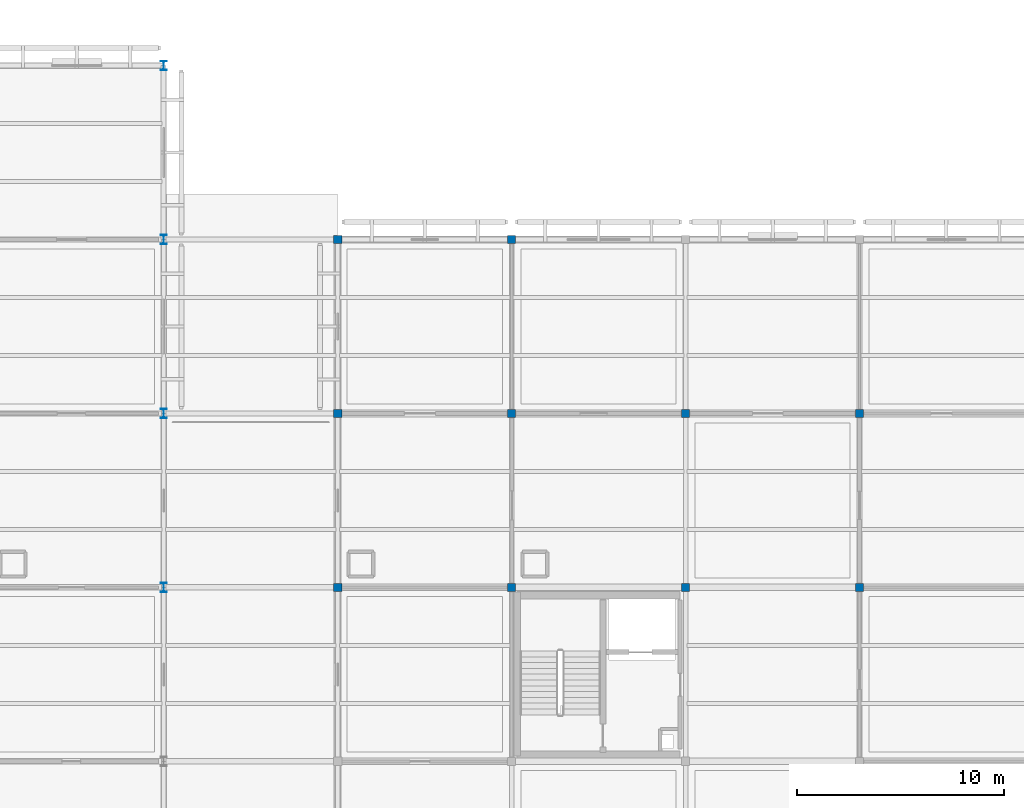
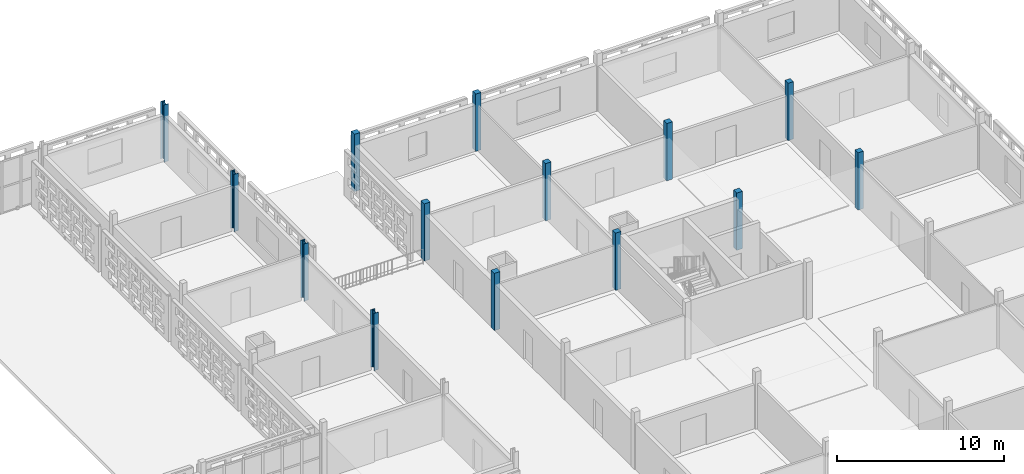
# One storey, part 12 of 140: 14 columns.
"""IFC4 building model written with IfcOpenShell, lengths in metres."""

from ifc_helpers import new_model, si_unit, direction, frame, origin, origin_2d, place, context, subcontext, project, spatial, rectangle, i_section, extrude, material, material_profile, profile_set, type_object, element, save


model = new_model("IFC4")

# Units and contexts
model_context = context("Model", 3, precision=1e-05, world=origin(), true_north=direction((0.0, 1.0)))
body_context = subcontext(model_context, "Body", "Model", "MODEL_VIEW")
ifc_project = project(units=[si_unit("LENGTHUNIT", "METRE"), si_unit("AREAUNIT", "SQUARE_METRE"), si_unit("VOLUMEUNIT", "CUBIC_METRE"), si_unit("PLANEANGLEUNIT", "RADIAN"), si_unit("MASSUNIT", "GRAM", prefix="KILO")], contexts=[model_context])

# Site, building, storey
site_placement = place(None, origin())
site = spatial("IfcSite", under=ifc_project, at=site_placement, CompositionType="ELEMENT")
building_placement = place(site_placement, origin())
building = spatial("IfcBuilding", under=site, at=building_placement, Name="Varnapada Polytechnic", CompositionType="ELEMENT")
storey_placement = place(building_placement, frame((0.0, 0.0, 13.800048828125)))
storey = spatial("IfcBuildingStorey", under=building, at=storey_placement, Name="L03", CompositionType="ELEMENT", Elevation=13.800048828125)

# Columns
ifc_material_1 = material(Name="Steel S355", Category="steel")
ifc_material_profile_1 = material_profile(ifc_material_1, i_section(OverallWidth=0.300048828125, OverallDepth=0.449951171875, WebThickness=0.013916015625, FlangeThickness=0.02587890625, FilletRadius=0.027099609375, at=origin_2d()), Name="HEB 450")
ifc_profile_set_1 = profile_set([ifc_material_profile_1], Name="Steel S355")
column_type_1 = type_object("IfcColumnType", Name="Column C-07 (HEB 450)", PredefinedType="COLUMN", material=ifc_profile_set_1)
for number, where, z_axis, x_axis, name in (
    (1, (134.39990234375, 100.800048828125, 0.0), (0.0, 0.0, 1.0), (1.0, 0.0, 0.0), "L03 column 17/13"),
    (2, (134.39990234375, 109.199951171875, 0.0), (0.0, 0.0, 1.0), (1.0, 0.0, 0.0), "L03 column 17/14"),
    (3, (134.39990234375, 117.60009765625, 0.0), (0.0, 0.0, 1.0), (1.0, 0.0, 0.0), "L03 column 17/15"),
):
    element("IfcColumn", number, at=place(storey_placement, frame(where, z_axis=z_axis, x_axis=x_axis)), inside=storey, type_object=column_type_1, Name=name, PredefinedType="COLUMN", context=body_context, shape_type="SweptSolid", body=[
        extrude(i_section(OverallWidth=0.300048828125, OverallDepth=0.449951171875, WebThickness=0.013916015625, FlangeThickness=0.02587890625, FilletRadius=0.027099609375, at=origin_2d()), origin(), (0.0, 0.0, 1.0), 4.199951171875),
    ])
ifc_material_2 = material(Name="Glulam GL32h", Category="wood")
ifc_material_profile_2 = material_profile(ifc_material_2, rectangle(XDim=0.39990234375, YDim=0.39990234375, at=origin_2d()), Name="GL 400x400")
ifc_profile_set_2 = profile_set([ifc_material_profile_2], Name="Glulam GL32h")
column_type_2 = type_object("IfcColumnType", Name="Column C-13 (GL 400x400)", PredefinedType="COLUMN", material=ifc_profile_set_2)
for number, where, z_axis, x_axis, name in (
    (4, (142.800048828125, 100.800048828125, 0.0), (0.0, 0.0, 1.0), (1.0, 0.0, 0.0), "L03 column 18/13"),
    (5, (142.800048828125, 109.199951171875, 0.0), (0.0, 0.0, 1.0), (1.0, 0.0, 0.0), "L03 column 18/14"),
    (6, (142.800048828125, 117.60009765625, 0.0), (0.0, 0.0, 1.0), (1.0, 0.0, 0.0), "L03 column 18/15"),
    (7, (159.60009765625, 100.800048828125, 0.0), (0.0, 0.0, 1.0), (1.0, 0.0, 0.0), "L03 column 20/13"),
    (8, (159.60009765625, 109.199951171875, 0.0), (0.0, 0.0, 1.0), (1.0, 0.0, 0.0), "L03 column 20/14"),
):
    element("IfcColumn", number, at=place(storey_placement, frame(where, z_axis=z_axis, x_axis=x_axis)), inside=storey, type_object=column_type_2, Name=name, PredefinedType="COLUMN", context=body_context, shape_type="SweptSolid", body=[
        extrude(rectangle(XDim=0.39990234375, YDim=0.39990234375, at=origin_2d()), origin(), (0.0, 0.0, 1.0), 4.199951171875),
    ])
ifc_material_profile_3 = material_profile(ifc_material_2, rectangle(XDim=0.3798828125, YDim=0.3798828125, at=origin_2d()), Name="GL 380x380")
ifc_profile_set_3 = profile_set([ifc_material_profile_3], Name="Glulam GL32h")
column_type_3 = type_object("IfcColumnType", Name="Column C-24 (GL 380x380)", PredefinedType="COLUMN", material=ifc_profile_set_3)
for number, where, z_axis, x_axis, name in (
    (9, (151.199951171875, 100.800048828125, 0.0), (0.0, 0.0, 1.0), (1.0, 0.0, 0.0), "L03 column 19/13"),
    (10, (151.199951171875, 109.199951171875, 0.0), (0.0, 0.0, 1.0), (1.0, 0.0, 0.0), "L03 column 19/14"),
    (11, (151.199951171875, 117.60009765625, 0.0), (0.0, 0.0, 1.0), (1.0, 0.0, 0.0), "L03 column 19/15"),
    (12, (168.0, 100.800048828125, 0.0), (0.0, 0.0, 1.0), (1.0, 0.0, 0.0), "L03 column 21/13"),
    (13, (168.0, 109.199951171875, 0.0), (0.0, 0.0, 1.0), (1.0, 0.0, 0.0), "L03 column 21/14"),
):
    element("IfcColumn", number, at=place(storey_placement, frame(where, z_axis=z_axis, x_axis=x_axis)), inside=storey, type_object=column_type_3, Name=name, PredefinedType="COLUMN", context=body_context, shape_type="SweptSolid", body=[
        extrude(rectangle(XDim=0.3798828125, YDim=0.3798828125, at=origin_2d()), origin(), (0.0, 0.0, 1.0), 4.199951171875),
    ])
ifc_material_profile_4 = material_profile(ifc_material_1, i_section(OverallWidth=0.300048828125, OverallDepth=0.43994140625, WebThickness=0.011474609375, FlangeThickness=0.02099609375, FilletRadius=0.027099609375, at=origin_2d()), Name="HEA 450")
ifc_profile_set_4 = profile_set([ifc_material_profile_4], Name="Steel S355")
column_type_4 = type_object("IfcColumnType", Name="Column C-30 (HEA 450)", PredefinedType="COLUMN", material=ifc_profile_set_4)
column_placement = place(storey_placement, frame((134.39990234375, 126.0, 0.0), z_axis=(0.0, 0.0, 1.0), x_axis=(1.0, 0.0, 0.0)))
element("IfcColumn", 14, at=column_placement, inside=storey, type_object=column_type_4, Name="L03 column 17/16", PredefinedType="COLUMN", context=body_context, shape_type="SweptSolid", body=[
    extrude(i_section(OverallWidth=0.300048828125, OverallDepth=0.43994140625, WebThickness=0.011474609375, FlangeThickness=0.02099609375, FilletRadius=0.027099609375, at=origin_2d()), origin(), (0.0, 0.0, 1.0), 4.199951171875),
])

save(model, "model.ifc")
